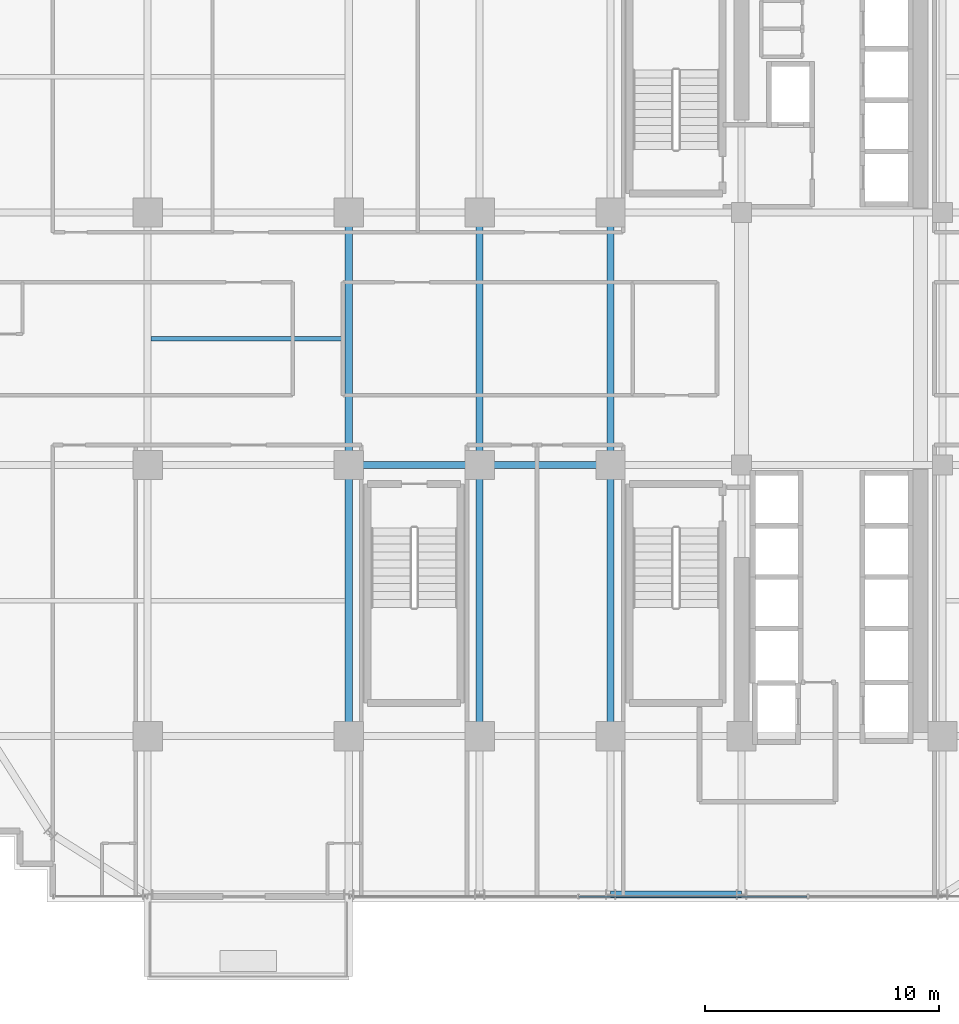
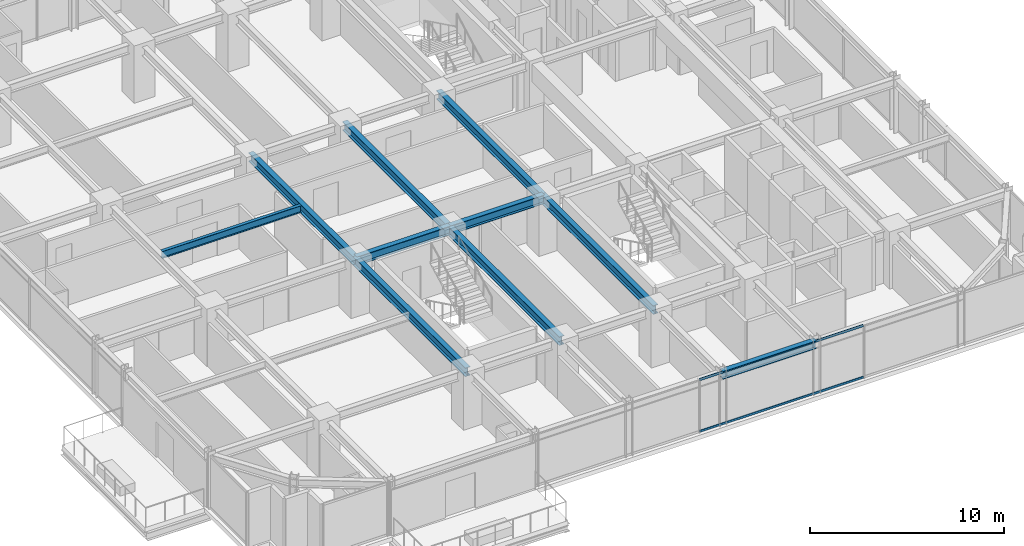
# One storey, part 10 of 32: 10 beams, 2 members, 1 element without a shape of its own.
"""IFC4 building model written with IfcOpenShell, lengths in metres."""

from ifc_helpers import new_model, si_unit, direction, frame, origin, origin_2d, place, context, subcontext, project, spatial, hollow_rectangle, i_section, extrude, source, transform, mapped, material, material_profile, profile_set, type_object, element, aggregate, save


model = new_model("IFC4")

# Units and contexts
model_context = context("Model", 3, precision=1e-05, world=origin(), true_north=direction((0.0, 1.0)))
body_context = subcontext(model_context, "Body", "Model", "MODEL_VIEW")
ifc_project = project(units=[si_unit("LENGTHUNIT", "METRE"), si_unit("AREAUNIT", "SQUARE_METRE"), si_unit("VOLUMEUNIT", "CUBIC_METRE"), si_unit("PLANEANGLEUNIT", "RADIAN"), si_unit("MASSUNIT", "GRAM", prefix="KILO")], contexts=[model_context])

# Site, building, storey
site_placement = place(None, origin())
site = spatial("IfcSite", under=ifc_project, at=site_placement, CompositionType="ELEMENT")
building_placement = place(site_placement, origin())
building = spatial("IfcBuilding", under=site, at=building_placement, Name="Nahalor Promenade Grand Hotel", CompositionType="ELEMENT")
storey_placement = place(building_placement, frame((0.0, 0.0, 110.199951171875)))
storey = spatial("IfcBuildingStorey", under=building, at=storey_placement, Name="L27", CompositionType="ELEMENT", Elevation=110.199951171875)

# Beams
ifc_material_1 = material(Name="Steel S355JR", Category="steel")
ifc_material_profile_1 = material_profile(ifc_material_1, i_section(OverallWidth=0.3, OverallDepth=0.5, WebThickness=0.0145, FlangeThickness=0.028, at=origin_2d()), Name="HEB 500")
ifc_profile_set_1 = profile_set([ifc_material_profile_1], Name="Steel S355JR")
beam_type_1 = type_object("IfcBeamType", Name="Beam-Spandrel-HEB500", PredefinedType="SPANDREL", material=ifc_profile_set_1)
shared_shape_1 = source(origin(), body_context, "Body", "SweptSolid", [
    extrude(i_section(OverallWidth=0.3, OverallDepth=0.5, WebThickness=0.0145, FlangeThickness=0.028, at=origin_2d()), origin(), (0.0, 0.0, 1.0), 5.599853515625),
])
beam_1_placement = place(storey_placement, frame((2.800048828125, -23.780029296875, 3.130126953125), z_axis=(1.0, 0.0, 0.0), x_axis=(0.0, 1.0, 0.0)))
element("IfcBeam", 1, at=beam_1_placement, inside=storey, type_object=beam_type_1, Name="BM-L27-SP-S-3", PredefinedType="SPANDREL", context=body_context, shape_type="MappedRepresentation", body=[
    mapped(shared_shape_1, transform((0.0, 0.0, 0.0), scale=1.0)),
])
ifc_material_profile_2 = material_profile(ifc_material_1, i_section(OverallWidth=0.3, OverallDepth=0.55, WebThickness=0.015, FlangeThickness=0.029, at=origin_2d()), Name="HEB 550")
ifc_profile_set_2 = profile_set([ifc_material_profile_2], Name="Steel S355JR")
beam_type_2 = type_object("IfcBeamType", Name="Beam-Girder-HEB550", PredefinedType="BEAM", material=ifc_profile_set_2)
shared_shape_2 = source(origin(), body_context, "Body", "SweptSolid", [
    extrude(i_section(OverallWidth=0.3, OverallDepth=0.55, WebThickness=0.015, FlangeThickness=0.029, at=origin_2d()), origin(), (0.0, 0.0, 1.0), 5.599853515625),
])
beam_2_placement = place(storey_placement, frame((-8.39990234375, -5.39990234375, 3.10498046875), z_axis=(1.0, 0.0, 0.0), x_axis=(0.0, 1.0, 0.0)))
element("IfcBeam", 2, at=beam_2_placement, inside=storey, type_object=beam_type_2, Name="BM-L27-GX-1-2", PredefinedType="BEAM", context=body_context, shape_type="MappedRepresentation", body=[
    mapped(shared_shape_2, transform((0.0, 0.0, 0.0), scale=1.0)),
])
shared_shape_3 = source(origin(), body_context, "Body", "SweptSolid", [
    extrude(i_section(OverallWidth=0.3, OverallDepth=0.55, WebThickness=0.015, FlangeThickness=0.029, at=origin_2d()), origin(), (0.0, 0.0, 1.0), 5.60009765625),
])
beam_3_placement = place(storey_placement, frame((-2.800048828125, -5.39990234375, 3.10498046875), z_axis=(1.0, 0.0, 0.0), x_axis=(0.0, 1.0, 0.0)))
element("IfcBeam", 3, at=beam_3_placement, inside=storey, type_object=beam_type_2, Name="BM-L27-GX-1-3", PredefinedType="BEAM", context=body_context, shape_type="MappedRepresentation", body=[
    mapped(shared_shape_3, transform((0.0, 0.0, 0.0), scale=1.0)),
])
shared_shape_4 = source(origin(), body_context, "Body", "SweptSolid", [
    extrude(i_section(OverallWidth=0.3, OverallDepth=0.55, WebThickness=0.015, FlangeThickness=0.029, at=origin_2d()), origin(), (0.0, 0.0, 1.0), 11.60009765625),
])
for number, where, z_axis, x_axis, name in (
    (4, (-8.39990234375, -17.0, 3.10498046875), (0.0, 1.0, 0.0), (-1.0, 0.0, 0.0), "BM-L27-GY-1-1"),
    (5, (-2.800048828125, -17.0, 3.10498046875), (0.0, 1.0, 0.0), (-1.0, 0.0, 0.0), "BM-L27-GY-2-1"),
    (6, (2.800048828125, -17.0, 3.10498046875), (0.0, 1.0, 0.0), (-1.0, 0.0, 0.0), "BM-L27-GY-3-1"),
):
    element("IfcBeam", number, at=place(storey_placement, frame(where, z_axis=z_axis, x_axis=x_axis)), inside=storey, type_object=beam_type_2, Name=name, PredefinedType="BEAM", context=body_context, shape_type="MappedRepresentation", body=[
        mapped(shared_shape_4, transform((0.0, 0.0, 0.0), scale=1.0)),
    ])
shared_shape_5 = source(origin(), body_context, "Body", "SweptSolid", [
    extrude(i_section(OverallWidth=0.3, OverallDepth=0.55, WebThickness=0.015, FlangeThickness=0.029, at=origin_2d()), origin(), (0.0, 0.0, 1.0), 10.7998046875),
])
for number, where, z_axis, x_axis, name in (
    (7, (-8.39990234375, -5.39990234375, 3.10498046875), (0.0, 1.0, 0.0), (-1.0, 0.0, 0.0), "BM-L27-GY-1-2"),
    (8, (-2.800048828125, -5.39990234375, 3.10498046875), (0.0, 1.0, 0.0), (-1.0, 0.0, 0.0), "BM-L27-GY-2-2"),
    (9, (2.800048828125, -5.39990234375, 3.10498046875), (0.0, 1.0, 0.0), (-1.0, 0.0, 0.0), "BM-L27-GY-3-2"),
):
    element("IfcBeam", number, at=place(storey_placement, frame(where, z_axis=z_axis, x_axis=x_axis)), inside=storey, type_object=beam_type_2, Name=name, PredefinedType="BEAM", context=body_context, shape_type="MappedRepresentation", body=[
        mapped(shared_shape_5, transform((0.0, 0.0, 0.0), scale=1.0)),
    ])
ifc_material_profile_3 = material_profile(ifc_material_1, i_section(OverallWidth=0.19, OverallDepth=0.45, WebThickness=0.0094, FlangeThickness=0.0146, at=origin_2d()), Name="IPE 450")
ifc_profile_set_3 = profile_set([ifc_material_profile_3], Name="Steel S355JR")
beam_type_3 = type_object("IfcBeamType", Name="Beam-Joist-IPE450", PredefinedType="JOIST", material=ifc_profile_set_3)
shared_shape_6 = source(origin(), body_context, "Body", "SweptSolid", [
    extrude(i_section(OverallWidth=0.19, OverallDepth=0.45, WebThickness=0.0094, FlangeThickness=0.0146, at=origin_2d()), origin(), (0.0, 0.0, 1.0), 8.300048828125),
])
beam_4_placement = place(storey_placement, frame((-16.85009765625, 0.0, 3.155029296875), z_axis=(1.0, 0.0, 0.0), x_axis=(0.0, 1.0, 0.0)))
element("IfcBeam", 10, at=beam_4_placement, inside=storey, type_object=beam_type_3, Name="BM-L27-JSC-0", PredefinedType="JOIST", context=body_context, shape_type="MappedRepresentation", body=[
    mapped(shared_shape_6, transform((0.0, 0.0, 0.0), scale=1.0)),
])

# Curtain wall, members
ifc_material_2 = material(Name="Anodised Bronze Aluminium EN AW-6063 T6", Category="aluminium")
curtain_wall_type = type_object("IfcCurtainWallType", Name="CW2 Typical Hotel Flush Bronze Unitised Curtain Wall", PredefinedType="USERDEFINED", material=ifc_material_2)
curtain_wall_placement = place(storey_placement, origin())
curtain_wall = element("IfcCurtainWall", 11, at=curtain_wall_placement, inside=storey, type_object=curtain_wall_type, Name="L27 Curtain Wall CW-L27-S-3", ObjectType="UNITISED_CURTAIN_WALL", PredefinedType="USERDEFINED")
ifc_material_profile_4 = material_profile(ifc_material_2, hollow_rectangle(XDim=0.065, YDim=0.13, WallThickness=0.004, at=origin_2d()), Name="CWT 65x130x4")
ifc_profile_set_4 = profile_set([ifc_material_profile_4], Name="Anodised Bronze Aluminium EN AW-6063 T6")
member_type = type_object("IfcMemberType", Name="CWT2 Typical Bronze Transom 65x130", PredefinedType="USERDEFINED", material=ifc_profile_set_4)
shared_shape_7 = source(origin(), body_context, "Body", "SweptSolid", [
    extrude(hollow_rectangle(XDim=0.065, YDim=0.13, WallThickness=0.004, at=origin_2d()), origin(), (0.0, 0.0, 1.0), 9.755126953125),
])
member_1_placement = place(storey_placement, frame((1.452392578125, -23.860107421875, 0.06494140625), z_axis=(1.0, 0.0, 0.0), x_axis=(0.0, 1.0, 0.0)))
member_1 = element("IfcMember", 12, at=member_1_placement, type_object=member_type, Name="CW-L27-S-3 Transom 1-0", ObjectType="TRANSOM", PredefinedType="USERDEFINED", context=body_context, shape_type="MappedRepresentation", body=[
    mapped(shared_shape_7, transform((0.0, 0.0, 0.0), scale=1.0)),
])
member_2_placement = place(storey_placement, frame((1.452392578125, -23.860107421875, 3.31494140625), z_axis=(1.0, 0.0, 0.0), x_axis=(0.0, 1.0, 0.0)))
member_2 = element("IfcMember", 13, at=member_2_placement, type_object=member_type, Name="CW-L27-S-3 Transom 1-1", ObjectType="TRANSOM", PredefinedType="USERDEFINED", context=body_context, shape_type="MappedRepresentation", body=[
    mapped(shared_shape_7, transform((0.0, 0.0, 0.0), scale=1.0)),
])
aggregate(curtain_wall, [member_1, member_2])

save(model, "model.ifc")
